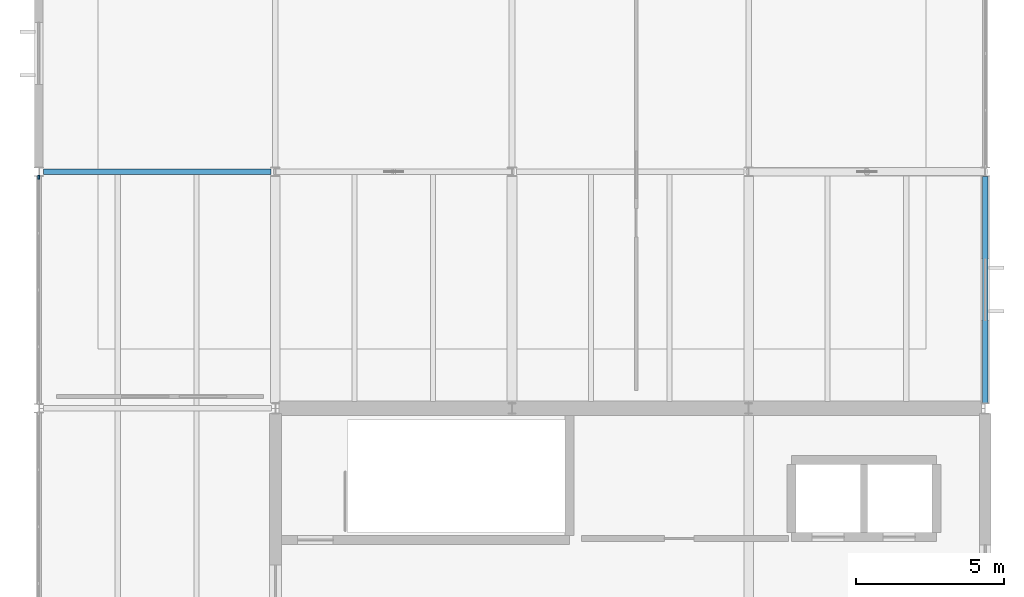
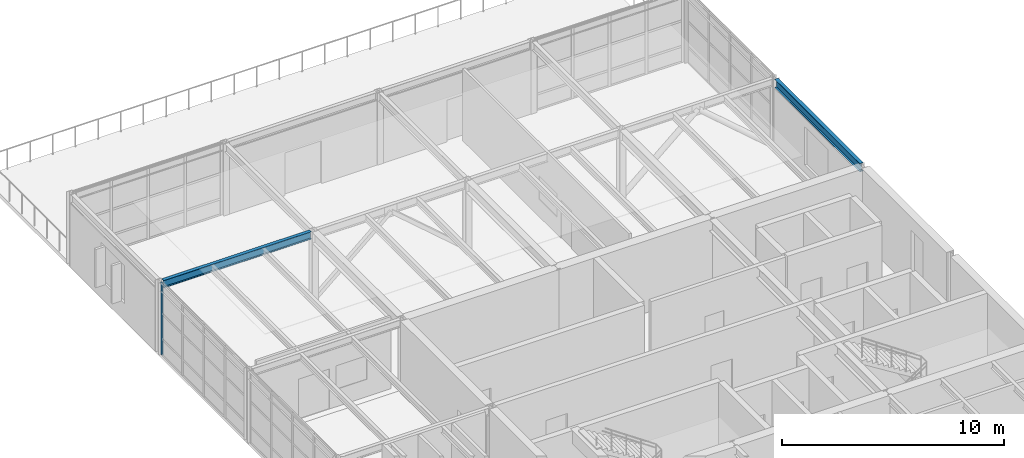
# One storey, part 8 of 15: 2 beams, 1 member, 1 element without a shape of its own.
"""IFC4 building model written with IfcOpenShell, lengths in metres."""

from ifc_helpers import new_model, si_unit, direction, frame, origin, origin_2d, place, context, subcontext, project, spatial, rectangle, i_section, extrude, material, layer, layer_set, material_profile, profile_set, type_object, element, aggregate, save


model = new_model("IFC4")

# Units and contexts
model_context = context("Model", 3, precision=1e-05, world=origin(), true_north=direction((0.0, 1.0)))
body_context = subcontext(model_context, "Body", "Model", "MODEL_VIEW")
ifc_project = project(units=[si_unit("LENGTHUNIT", "METRE"), si_unit("AREAUNIT", "SQUARE_METRE"), si_unit("VOLUMEUNIT", "CUBIC_METRE"), si_unit("PLANEANGLEUNIT", "RADIAN"), si_unit("MASSUNIT", "GRAM", prefix="KILO")], contexts=[model_context])

# Site, building, storey
site_placement = place(None, origin())
site = spatial("IfcSite", under=ifc_project, at=site_placement, CompositionType="ELEMENT")
building_placement = place(site_placement, origin())
building = spatial("IfcBuilding", under=site, at=building_placement, Name="Varnela Railside Interchange", CompositionType="ELEMENT")
storey_placement = place(building_placement, frame((0.0, 0.0, 32.199951171875)))
storey = spatial("IfcBuildingStorey", under=building, at=storey_placement, Name="L07", CompositionType="ELEMENT", Elevation=32.199951171875)

# Curtain wall, member
ifc_material_1 = material(Name="Aluminium 6063-T6", Category="aluminium")
ifc_layer = layer(ifc_material_1, 0.035888671875)
ifc_layer_set = layer_set([ifc_layer], Name="Aluminium 6063-T6")
curtain_wall_type = type_object("IfcCurtainWallType", Name="Operations Wing Facade Curtain Wall CW-03", PredefinedType="USERDEFINED", material=ifc_layer_set)
curtain_wall_placement = place(storey_placement, origin())
curtain_wall = element("IfcCurtainWall", 1, at=curtain_wall_placement, inside=storey, type_object=curtain_wall_type, Name="Curtain Wall CW-03 (L07) (CW-158)", ObjectType="CURTAIN WALL", PredefinedType="USERDEFINED")
ifc_material_profile_1 = material_profile(ifc_material_1, rectangle(XDim=0.06005859375, YDim=0.139892578125, at=origin_2d()), Name="ALU 60x140")
ifc_profile_set_1 = profile_set([ifc_material_profile_1], Name="Aluminium 6063-T6")
member_type = type_object("IfcMemberType", Name="Curtain Wall Mullion ML-01", PredefinedType="MULLION", material=ifc_profile_set_1)
member_placement = place(storey_placement, frame((4.0, 77.81591796875, 0.0), z_axis=(0.0, 0.0, 1.0), x_axis=(-1.0, 0.0, 0.0)))
member = element("IfcMember", 2, at=member_placement, type_object=member_type, Name="CW-03 mullion 5", PredefinedType="MULLION", context=body_context, shape_type="SweptSolid", body=[
    extrude(rectangle(XDim=0.06005859375, YDim=0.139892578125, at=origin_2d()), origin(), (0.0, 0.0, 1.0), 3.9599609375),
])
aggregate(curtain_wall, [member])

# Beams
ifc_material_2 = material(Name="Steel AR 350 (350 MPa)", Category="steel")
ifc_material_profile_2 = material_profile(ifc_material_2, i_section(OverallWidth=0.19091796875, OverallDepth=0.4599609375, WebThickness=0.010009765625, FlangeThickness=0.01611328125, at=origin_2d()), Name="W460x82")
ifc_profile_set_2 = profile_set([ifc_material_profile_2], Name="Steel AR 350 (350 MPa)")
beam_type_1 = type_object("IfcBeamType", Name="Steel Perimeter Spandrel SP-01", PredefinedType="SPANDREL", material=ifc_profile_set_2)
beam_1_placement = place(storey_placement, frame((36.0, 70.181396484375, 3.72998046875), z_axis=(0.0, 1.0, 0.0), x_axis=(-1.0, 0.0, 0.0)))
element("IfcBeam", 3, at=beam_1_placement, inside=storey, type_object=beam_type_1, Name="Steel Perimeter Spandrel SP-01 (L07) (BM-2777)", PredefinedType="SPANDREL", context=body_context, shape_type="SweptSolid", body=[
    extrude(i_section(OverallWidth=0.19091796875, OverallDepth=0.4599609375, WebThickness=0.010009765625, FlangeThickness=0.01611328125, at=origin_2d()), origin(), (0.0, 0.0, 1.0), 7.66455078125),
])
ifc_material_profile_3 = material_profile(ifc_material_2, i_section(OverallWidth=0.178955078125, OverallDepth=0.409912109375, WebThickness=0.0087890625, FlangeThickness=0.014404296875, at=origin_2d()), Name="W410x67")
ifc_profile_set_3 = profile_set([ifc_material_profile_3], Name="Steel AR 350 (350 MPa)")
beam_type_2 = type_object("IfcBeamType", Name="Steel Terrace Spandrel SP-02", PredefinedType="SPANDREL", material=ifc_profile_set_3)
beam_2_placement = place(storey_placement, frame((4.155029296875, 78.0, 3.755126953125), z_axis=(1.0, 0.0, 0.0), x_axis=(0.0, 1.0, 0.0)))
element("IfcBeam", 4, at=beam_2_placement, inside=storey, type_object=beam_type_2, Name="Steel Terrace Spandrel SP-02 (L07) (BM-2756)", PredefinedType="SPANDREL", context=body_context, shape_type="SweptSolid", body=[
    extrude(i_section(OverallWidth=0.178955078125, OverallDepth=0.409912109375, WebThickness=0.0087890625, FlangeThickness=0.014404296875, at=origin_2d()), origin(), (0.0, 0.0, 1.0), 7.68994140625),
])

save(model, "model.ifc")
